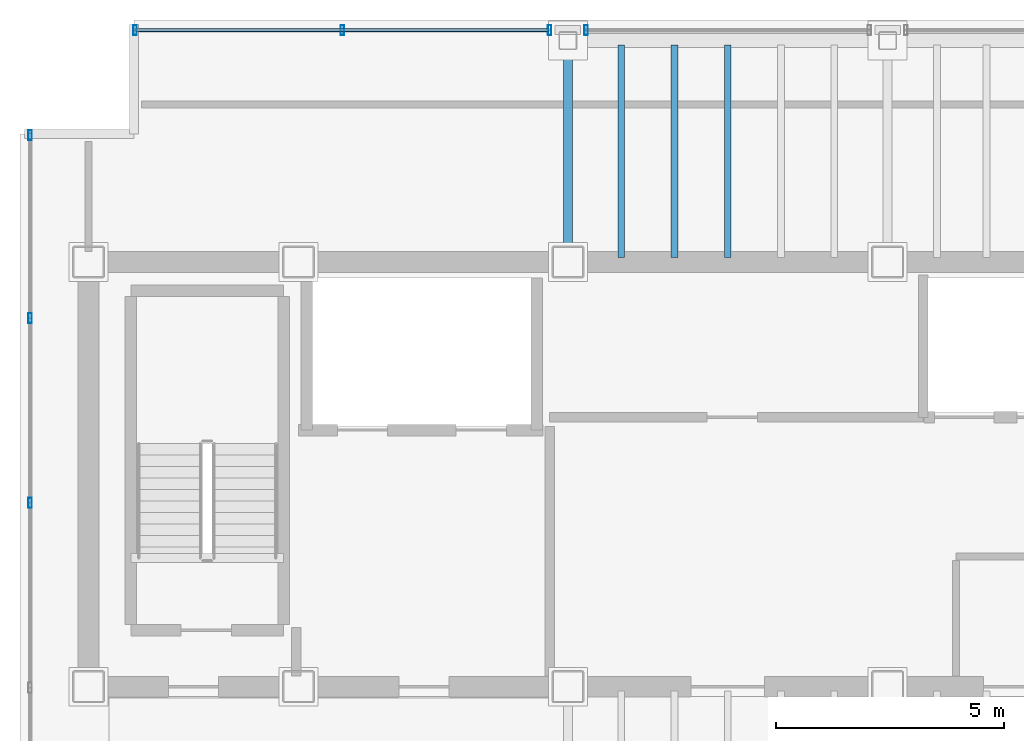
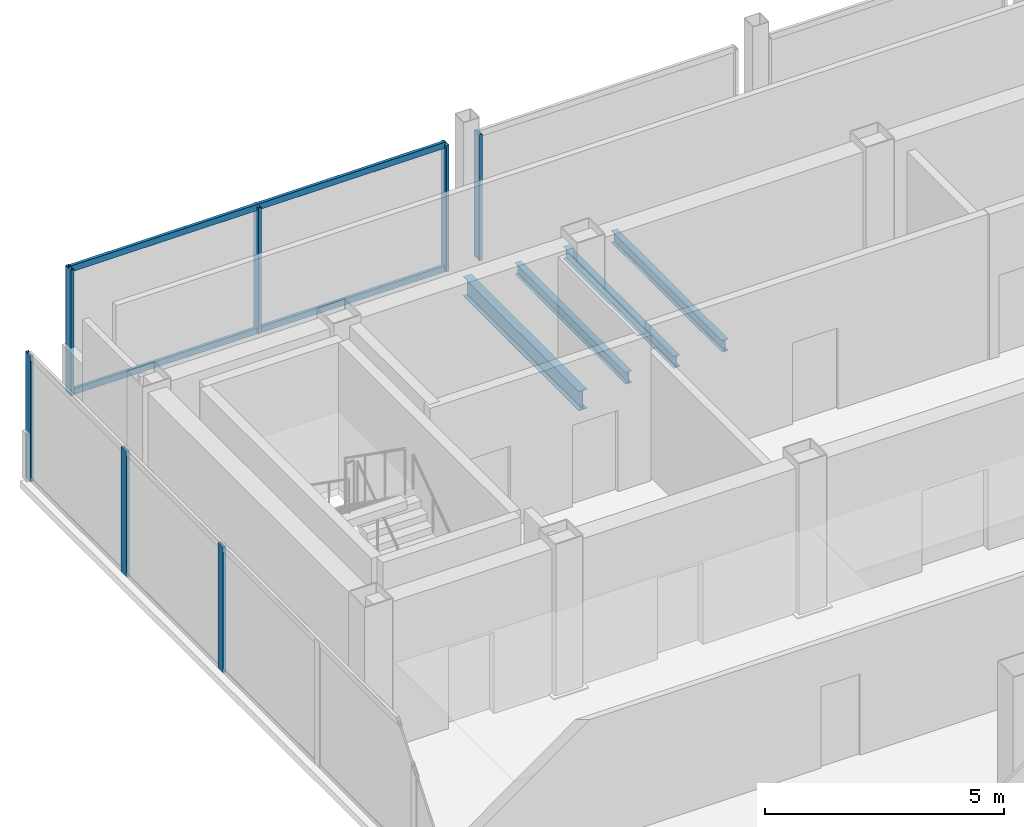
# One storey, part 9 of 17: 9 members, 4 beams, 3 elements without a shape of their own.
"""IFC4 building model written with IfcOpenShell, lengths in metres."""

from ifc_helpers import new_model, si_unit, direction, frame, origin, origin_2d, place, context, subcontext, project, spatial, hollow_rectangle, i_section, extrude, material, material_profile, profile_set, type_object, element, aggregate, save


model = new_model("IFC4")

# Units and contexts
model_context = context("Model", 3, precision=1e-05, world=origin(), true_north=direction((0.0, 1.0)))
body_context = subcontext(model_context, "Body", "Model", "MODEL_VIEW")
ifc_project = project(units=[si_unit("LENGTHUNIT", "METRE"), si_unit("AREAUNIT", "SQUARE_METRE"), si_unit("VOLUMEUNIT", "CUBIC_METRE"), si_unit("PLANEANGLEUNIT", "RADIAN"), si_unit("MASSUNIT", "GRAM", prefix="KILO")], contexts=[model_context])

# Site, building, storey
site_placement = place(None, origin())
site = spatial("IfcSite", under=ifc_project, at=site_placement, CompositionType="ELEMENT")
building_placement = place(site_placement, origin())
building = spatial("IfcBuilding", under=site, at=building_placement, Name="Noeulbin Bourse Tower", CompositionType="ELEMENT")
storey_placement = place(building_placement, frame((0.0, 0.0, 285.199951171875)))
storey = spatial("IfcBuildingStorey", under=building, at=storey_placement, Name="L71", CompositionType="ELEMENT", Elevation=285.199951171875)

# Beams
ifc_material_1 = material(Name="Steel S355", Category="steel")
ifc_material_profile_1 = material_profile(ifc_material_1, i_section(OverallWidth=0.199951171875, OverallDepth=0.5, WebThickness=0.010009765625, FlangeThickness=0.01611328125, FilletRadius=0.02001953125, at=origin_2d()), Name="H-500x200x10x16", Category="LoadBearing")
ifc_profile_set_1 = profile_set([ifc_material_profile_1], Name="Steel S355")
beam_type_1 = type_object("IfcBeamType", Name="BM-GRD-500", PredefinedType="USERDEFINED", material=ifc_profile_set_1)
beam_placement = place(storey_placement, frame((24.0, 38.300048828125, -0.429931640625), z_axis=(0.0, 1.0, 0.0), x_axis=(-1.0, 0.0, 0.0)))
element("IfcBeam", 1, at=beam_placement, inside=storey, type_object=beam_type_1, Name="Tower Primary Girder NS L71-2.4", ObjectType="GIRDER", PredefinedType="USERDEFINED", context=body_context, shape_type="SweptSolid", body=[
    extrude(i_section(OverallWidth=0.199951171875, OverallDepth=0.5, WebThickness=0.010009765625, FlangeThickness=0.01611328125, FilletRadius=0.02001953125, at=origin_2d()), origin(), (0.0, 0.0, 1.0), 4.849853515625),
])
ifc_material_profile_2 = material_profile(ifc_material_1, i_section(OverallWidth=0.14990234375, OverallDepth=0.300048828125, WebThickness=0.006591796875, FlangeThickness=0.009033203125, FilletRadius=0.012939453125, at=origin_2d()), Name="H-300x150x6.5x9", Category="LoadBearing")
ifc_profile_set_2 = profile_set([ifc_material_profile_2], Name="Steel S355")
beam_type_2 = type_object("IfcBeamType", Name="BM-JST-300", PredefinedType="JOIST", material=ifc_profile_set_2)
for number, where, z_axis, x_axis, name in (
    (2, (25.166748046875, 38.39990234375, -0.329833984375), (0.0, 1.0, 0.0), (-1.0, 0.0, 0.0), "Tower Composite Joist L71-02"),
    (3, (26.333251953125, 38.39990234375, -0.329833984375), (0.0, 1.0, 0.0), (-1.0, 0.0, 0.0), "Tower Composite Joist L71-04"),
    (4, (27.5, 38.39990234375, -0.329833984375), (0.0, 1.0, 0.0), (-1.0, 0.0, 0.0), "Tower Composite Joist L71-06"),
):
    element("IfcBeam", number, at=place(storey_placement, frame(where, z_axis=z_axis, x_axis=x_axis)), inside=storey, type_object=beam_type_2, Name=name, PredefinedType="JOIST", context=body_context, shape_type="SweptSolid", body=[
        extrude(i_section(OverallWidth=0.14990234375, OverallDepth=0.300048828125, WebThickness=0.006591796875, FlangeThickness=0.009033203125, FilletRadius=0.012939453125, at=origin_2d()), origin(), (0.0, 0.0, 1.0), 4.650146484375),
    ])

# Curtain wall, members
ifc_material_2 = material(Name="High-Selectivity Low-Iron Glazing", Category="glass")
curtain_wall_type = type_object("IfcCurtainWallType", Name="CW-SYS-4", PredefinedType="NOTDEFINED", material=ifc_material_2)
curtain_wall_1_placement = place(storey_placement, origin())
curtain_wall_1 = element("IfcCurtainWall", 5, at=curtain_wall_1_placement, inside=storey, type_object=curtain_wall_type, Name="Unitised Curtain Wall CW-L71-N-S1", PredefinedType="NOTDEFINED")
ifc_material_3 = material(Name="Anodised Aluminium 6063-T6", Category="aluminium")
ifc_material_profile_3 = material_profile(ifc_material_3, hollow_rectangle(XDim=0.074951171875, YDim=0.219970703125, WallThickness=0.0048828125, InnerFilletRadius=0.00244140625, OuterFilletRadius=0.0048828125, at=origin_2d()), Name="ALU-MULL-75x220x5", Category="LoadBearing")
ifc_profile_set_3 = profile_set([ifc_material_profile_3], Name="Anodised Aluminium 6063-T6")
member_type_1 = type_object("IfcMemberType", Name="CW-SYS-4-MUL", PredefinedType="MULLION", material=ifc_profile_set_3)
member_1_placement = place(storey_placement, frame((14.52001953125, 43.3798828125, -0.02001953125), z_axis=(0.0, 0.0, 1.0), x_axis=(1.0, 0.0, 0.0)))
member_1 = element("IfcMember", 6, at=member_1_placement, type_object=member_type_1, Name="Curtain Wall Mullion CW-L71-N-S1-M00", PredefinedType="MULLION", context=body_context, shape_type="SweptSolid", body=[
    extrude(hollow_rectangle(XDim=0.074951171875, YDim=0.219970703125, WallThickness=0.0048828125, InnerFilletRadius=0.00244140625, OuterFilletRadius=0.0048828125, at=origin_2d()), origin(), (0.0, 0.0, 1.0), 3.219970703125),
])
member_2_placement = place(storey_placement, frame((19.06005859375, 43.3798828125, -0.02001953125), z_axis=(0.0, 0.0, 1.0), x_axis=(1.0, 0.0, 0.0)))
member_2 = element("IfcMember", 7, at=member_2_placement, type_object=member_type_1, Name="Curtain Wall Mullion CW-L71-N-S1-M01", PredefinedType="MULLION", context=body_context, shape_type="SweptSolid", body=[
    extrude(hollow_rectangle(XDim=0.074951171875, YDim=0.219970703125, WallThickness=0.0048828125, InnerFilletRadius=0.00244140625, OuterFilletRadius=0.0048828125, at=origin_2d()), origin(), (0.0, 0.0, 1.0), 3.219970703125),
])
member_3_placement = place(storey_placement, frame((23.60009765625, 43.3798828125, -0.02001953125), z_axis=(0.0, 0.0, 1.0), x_axis=(1.0, 0.0, 0.0)))
member_3 = element("IfcMember", 8, at=member_3_placement, type_object=member_type_1, Name="Curtain Wall Mullion CW-L71-N-S1-M02", PredefinedType="MULLION", context=body_context, shape_type="SweptSolid", body=[
    extrude(hollow_rectangle(XDim=0.074951171875, YDim=0.219970703125, WallThickness=0.0048828125, InnerFilletRadius=0.00244140625, OuterFilletRadius=0.0048828125, at=origin_2d()), origin(), (0.0, 0.0, 1.0), 3.219970703125),
])

# Curtain wall, member
curtain_wall_2_placement = place(storey_placement, origin())
curtain_wall_2 = element("IfcCurtainWall", 9, at=curtain_wall_2_placement, inside=storey, type_object=curtain_wall_type, Name="Unitised Curtain Wall CW-L71-N-S2", PredefinedType="NOTDEFINED")
member_4_placement = place(storey_placement, frame((24.39990234375, 43.3798828125, -0.02001953125), z_axis=(0.0, 0.0, 1.0), x_axis=(1.0, 0.0, 0.0)))
member_4 = element("IfcMember", 10, at=member_4_placement, type_object=member_type_1, Name="Curtain Wall Mullion CW-L71-N-S2-M00", PredefinedType="MULLION", context=body_context, shape_type="SweptSolid", body=[
    extrude(hollow_rectangle(XDim=0.074951171875, YDim=0.219970703125, WallThickness=0.0048828125, InnerFilletRadius=0.00244140625, OuterFilletRadius=0.0048828125, at=origin_2d()), origin(), (0.0, 0.0, 1.0), 3.219970703125),
])
aggregate(curtain_wall_2, [member_4])

# Curtain wall, members
curtain_wall_3_placement = place(storey_placement, origin())
curtain_wall_3 = element("IfcCurtainWall", 11, at=curtain_wall_3_placement, inside=storey, type_object=curtain_wall_type, Name="Unitised Curtain Wall CW-L71-W", PredefinedType="NOTDEFINED")
member_5_placement = place(storey_placement, frame((12.219970703125, 33.02392578125, -0.02001953125), z_axis=(0.0, 0.0, 1.0), x_axis=(1.0, 0.0, 0.0)))
member_5 = element("IfcMember", 12, at=member_5_placement, type_object=member_type_1, Name="Curtain Wall Mullion CW-L71-W-M03", PredefinedType="MULLION", context=body_context, shape_type="SweptSolid", body=[
    extrude(hollow_rectangle(XDim=0.074951171875, YDim=0.219970703125, WallThickness=0.0048828125, InnerFilletRadius=0.00244140625, OuterFilletRadius=0.0048828125, at=origin_2d()), origin(), (0.0, 0.0, 1.0), 3.219970703125),
])
member_6_placement = place(storey_placement, frame((12.219970703125, 37.072021484375, -0.02001953125), z_axis=(0.0, 0.0, 1.0), x_axis=(1.0, 0.0, 0.0)))
member_6 = element("IfcMember", 13, at=member_6_placement, type_object=member_type_1, Name="Curtain Wall Mullion CW-L71-W-M04", PredefinedType="MULLION", context=body_context, shape_type="SweptSolid", body=[
    extrude(hollow_rectangle(XDim=0.074951171875, YDim=0.219970703125, WallThickness=0.0048828125, InnerFilletRadius=0.00244140625, OuterFilletRadius=0.0048828125, at=origin_2d()), origin(), (0.0, 0.0, 1.0), 3.219970703125),
])
member_7_placement = place(storey_placement, frame((12.219970703125, 41.080078125, -0.02001953125), z_axis=(0.0, 0.0, 1.0), x_axis=(1.0, 0.0, 0.0)))
member_7 = element("IfcMember", 14, at=member_7_placement, type_object=member_type_1, Name="Curtain Wall Mullion CW-L71-W-M05", PredefinedType="MULLION", context=body_context, shape_type="SweptSolid", body=[
    extrude(hollow_rectangle(XDim=0.074951171875, YDim=0.219970703125, WallThickness=0.0048828125, InnerFilletRadius=0.00244140625, OuterFilletRadius=0.0048828125, at=origin_2d()), origin(), (0.0, 0.0, 1.0), 3.219970703125),
])
aggregate(curtain_wall_3, [member_5, member_6, member_7])

# Member
ifc_material_profile_4 = material_profile(ifc_material_3, hollow_rectangle(XDim=0.074951171875, YDim=0.159912109375, WallThickness=0.0048828125, InnerFilletRadius=0.00244140625, OuterFilletRadius=0.0048828125, at=origin_2d()), Name="ALU-TRAN-75x160x5", Category="LoadBearing")
ifc_profile_set_4 = profile_set([ifc_material_profile_4], Name="Anodised Aluminium 6063-T6")
member_type_2 = type_object("IfcMemberType", Name="CW-SYS-4-TRN", PredefinedType="USERDEFINED", material=ifc_profile_set_4)
member_8_placement = place(storey_placement, frame((14.530029296875, 43.3798828125, 0.010009765625), z_axis=(1.0, 0.0, 0.0), x_axis=(0.0, 1.0, 0.0)))
member_8 = element("IfcMember", 15, at=member_8_placement, type_object=member_type_2, Name="Curtain Wall Transom CW-L71-N-S1-T00", ObjectType="TRANSOM", PredefinedType="USERDEFINED", context=body_context, shape_type="SweptSolid", body=[
    extrude(hollow_rectangle(XDim=0.074951171875, YDim=0.159912109375, WallThickness=0.0048828125, InnerFilletRadius=0.00244140625, OuterFilletRadius=0.0048828125, at=origin_2d()), origin(), (0.0, 0.0, 1.0), 9.06005859375),
])

member_9_placement = place(storey_placement, frame((14.530029296875, 43.3798828125, 3.170166015625), z_axis=(1.0, 0.0, 0.0), x_axis=(0.0, 1.0, 0.0)))
member_9 = element("IfcMember", 16, at=member_9_placement, type_object=member_type_2, Name="Curtain Wall Transom CW-L71-N-S1-T01", ObjectType="TRANSOM", PredefinedType="USERDEFINED", context=body_context, shape_type="SweptSolid", body=[
    extrude(hollow_rectangle(XDim=0.074951171875, YDim=0.159912109375, WallThickness=0.0048828125, InnerFilletRadius=0.00244140625, OuterFilletRadius=0.0048828125, at=origin_2d()), origin(), (0.0, 0.0, 1.0), 9.06005859375),
])

aggregate(curtain_wall_1, [member_1, member_2, member_3, member_8, member_9])

save(model, "model.ifc")
